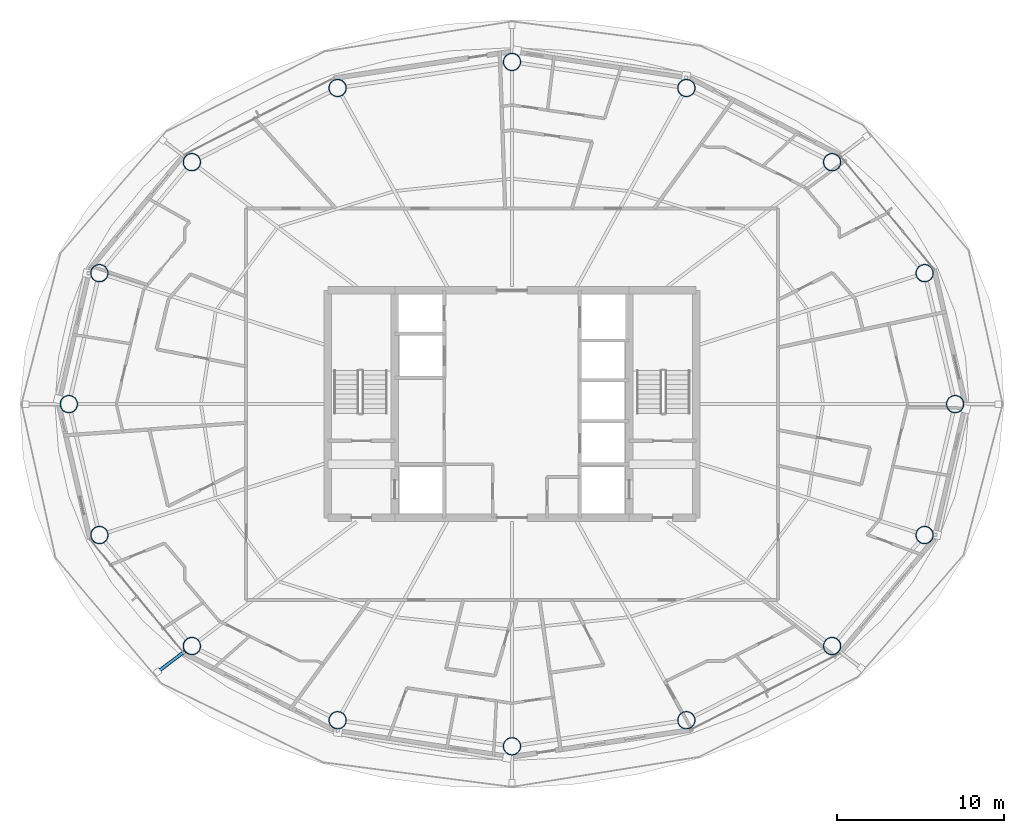
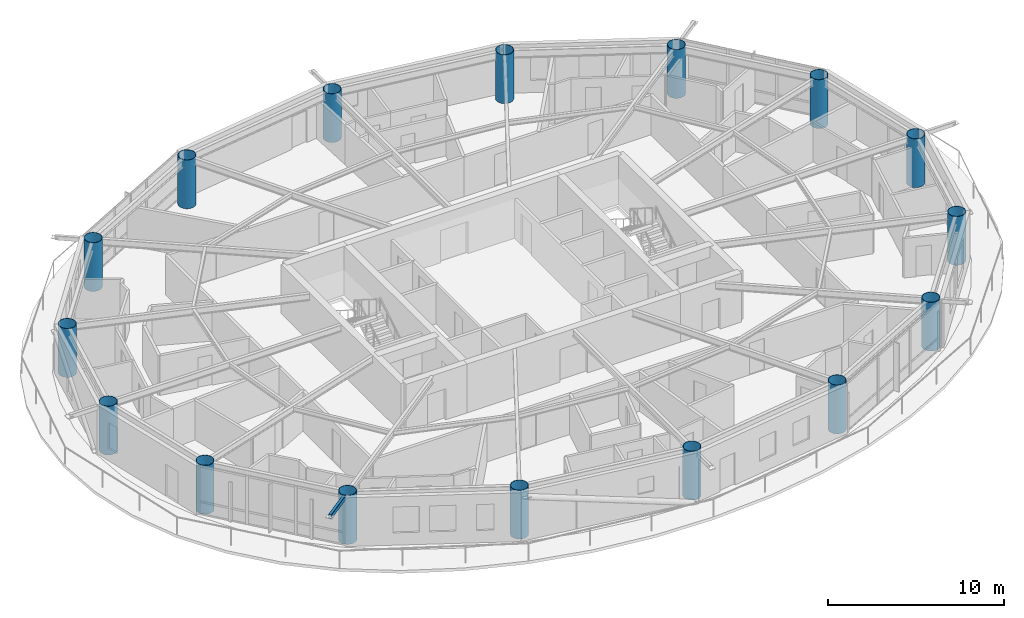
# One storey, part 1 of 29: 16 columns, 1 member.
"""IFC4 building model written with IfcOpenShell, lengths in metres."""

from ifc_helpers import new_model, si_unit, direction, frame, origin, origin_2d, place, context, subcontext, project, spatial, hollow_rectangle, hollow_circle, extrude, material, material_profile, profile_set, type_object, element, save


model = new_model("IFC4")

# Units and contexts
model_context = context("Model", 3, precision=1e-05, world=origin(), true_north=direction((0.0, 1.0)))
body_context = subcontext(model_context, "Body", "Model", "MODEL_VIEW")
ifc_project = project(units=[si_unit("LENGTHUNIT", "METRE"), si_unit("AREAUNIT", "SQUARE_METRE"), si_unit("VOLUMEUNIT", "CUBIC_METRE"), si_unit("PLANEANGLEUNIT", "RADIAN"), si_unit("MASSUNIT", "GRAM", prefix="KILO")], contexts=[model_context])

# Site, building, storey
site_placement = place(None, origin())
site = spatial("IfcSite", under=ifc_project, at=site_placement, CompositionType="ELEMENT")
building_placement = place(site_placement, origin())
building = spatial("IfcBuilding", under=site, at=building_placement, Name="Sarneth Arch Tower", CompositionType="ELEMENT")
storey_placement = place(building_placement, frame((0.0, 0.0, 165.0)))
storey = spatial("IfcBuildingStorey", under=building, at=storey_placement, Name="L41", CompositionType="ELEMENT", Elevation=165.0)

# Columns
ifc_material_1 = material(Name="Steel S355", Category="steel")
ifc_material_profile_1 = material_profile(ifc_material_1, hollow_circle(Radius=0.52490234375, WallThickness=0.028076171875, at=origin_2d()), Name="CHS1050x28")
ifc_profile_set_1 = profile_set([ifc_material_profile_1], Name="Steel S355")
column_type = type_object("IfcColumnType", Name="COL-MEGA-1050", PredefinedType="COLUMN", material=ifc_profile_set_1)
for number, where, z_axis, x_axis, name in (
    (1, (74.487060546875, 42.0, 0.0), (0.0, 0.0, 1.0), (1.0, 0.0, 0.0), "L41 Perimeter mega-column M01"),
    (2, (72.662109375, 49.825927734375, 0.0), (0.0, 0.0, 1.0), (1.0, 0.0, 0.0), "L41 Perimeter mega-column M02"),
    (3, (67.1337890625, 56.46044921875, 0.0), (0.0, 0.0, 1.0), (1.0, 0.0, 0.0), "L41 Perimeter mega-column M03"),
    (4, (58.421875, 60.893310546875, 0.0), (0.0, 0.0, 1.0), (1.0, 0.0, 0.0), "L41 Perimeter mega-column M04"),
    (5, (48.0, 62.449951171875, 0.0), (0.0, 0.0, 1.0), (1.0, 0.0, 0.0), "L41 Perimeter mega-column M05"),
    (6, (37.578125, 60.893310546875, 0.0), (0.0, 0.0, 1.0), (1.0, 0.0, 0.0), "L41 Perimeter mega-column M06"),
    (7, (28.8662109375, 56.46044921875, 0.0), (0.0, 0.0, 1.0), (1.0, 0.0, 0.0), "L41 Perimeter mega-column M07"),
    (8, (23.337890625, 49.825927734375, 0.0), (0.0, 0.0, 1.0), (1.0, 0.0, 0.0), "L41 Perimeter mega-column M08"),
    (9, (21.512939453125, 42.0, 0.0), (0.0, 0.0, 1.0), (1.0, 0.0, 0.0), "L41 Perimeter mega-column M09"),
    (10, (23.337890625, 34.174072265625, 0.0), (0.0, 0.0, 1.0), (1.0, 0.0, 0.0), "L41 Perimeter mega-column M10"),
    (11, (28.8662109375, 27.53955078125, 0.0), (0.0, 0.0, 1.0), (1.0, 0.0, 0.0), "L41 Perimeter mega-column M11"),
    (12, (37.578125, 23.106689453125, 0.0), (0.0, 0.0, 1.0), (1.0, 0.0, 0.0), "L41 Perimeter mega-column M12"),
    (13, (48.0, 21.550048828125, 0.0), (0.0, 0.0, 1.0), (1.0, 0.0, 0.0), "L41 Perimeter mega-column M13"),
    (14, (58.421875, 23.106689453125, 0.0), (0.0, 0.0, 1.0), (1.0, 0.0, 0.0), "L41 Perimeter mega-column M14"),
    (15, (67.1337890625, 27.53955078125, 0.0), (0.0, 0.0, 1.0), (1.0, 0.0, 0.0), "L41 Perimeter mega-column M15"),
    (16, (72.662109375, 34.174072265625, 0.0), (0.0, 0.0, 1.0), (1.0, 0.0, 0.0), "L41 Perimeter mega-column M16"),
):
    element("IfcColumn", number, at=place(storey_placement, frame(where, z_axis=z_axis, x_axis=x_axis)), inside=storey, type_object=column_type, Name=name, PredefinedType="COLUMN", context=body_context, shape_type="SweptSolid", body=[
        extrude(hollow_circle(Radius=0.52490234375, WallThickness=0.028076171875, at=origin_2d()), origin(), (0.0, 0.0, 1.0), 3.3798828125),
    ])

# Member
ifc_material_2 = material(Name="Steel S355", Category="steel")
ifc_material_profile_2 = material_profile(ifc_material_2, hollow_rectangle(XDim=0.199951171875, YDim=0.300048828125, WallThickness=0.012451171875, InnerFilletRadius=0.018798828125, OuterFilletRadius=0.03125, at=origin_2d()), Name="RHS300x200x12.5")
ifc_profile_set_2 = profile_set([ifc_material_profile_2], Name="Steel S355")
member_type = type_object("IfcMemberType", Name="MEM-CANT-STRUT", PredefinedType="STRUT", material=ifc_profile_set_2)
member_placement = place(storey_placement, frame((28.447265625, 27.22314453125, 3.219970703125), z_axis=(-0.797776832561, -0.602952838479, 0.0), x_axis=(0.602952838479, -0.797776832561, 0.0)))
element("IfcMember", 17, at=member_placement, inside=storey, type_object=member_type, Name="L41 Balcony cantilever bracket 11", PredefinedType="STRUT", context=body_context, shape_type="SweptSolid", body=[
    extrude(hollow_rectangle(XDim=0.199951171875, YDim=0.300048828125, WallThickness=0.012451171875, InnerFilletRadius=0.018798828125, OuterFilletRadius=0.03125, at=origin_2d()), origin(), (0.0, 0.0, 1.0), 2.047607421875),
])

save(model, "model.ifc")
